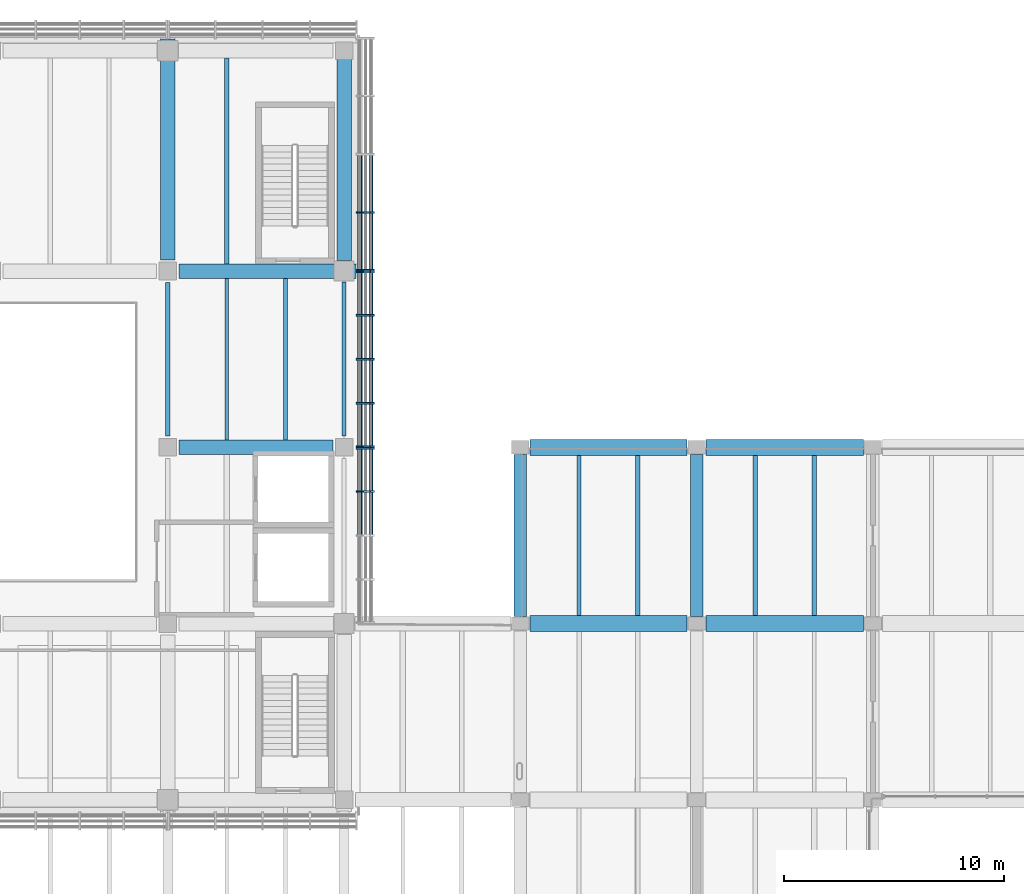
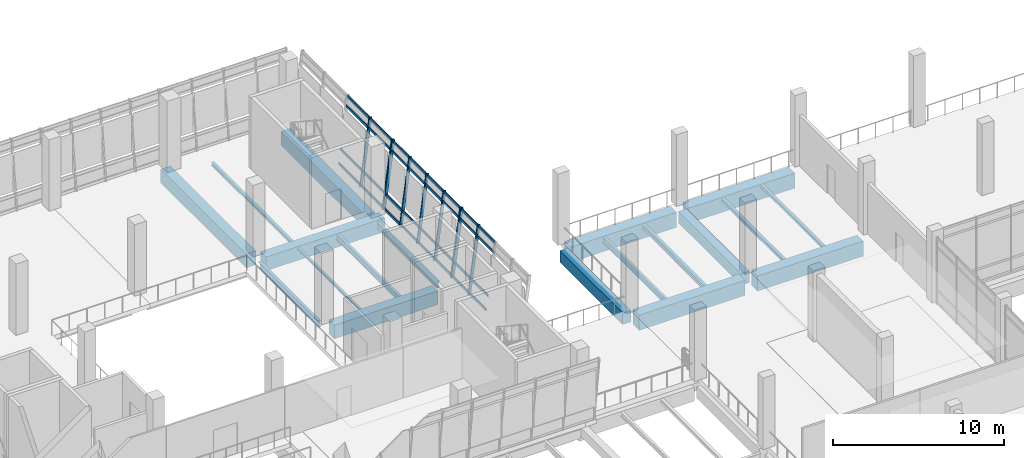
# One storey, part 19 of 61: 41 members, 19 beams, 3 elements without a shape of their own.
"""IFC4 building model written with IfcOpenShell, lengths in metres."""

import ifcopenshell
import ifcopenshell.guid

model = None  # the IFC model being written
_history = None  # IfcOwnerHistory: only IFC2X3 demands one
_inside = {}  # id of a spatial element -> (the spatial element, [elements in it])
_under = {}  # id of a project, library or spatial element -> (it, [spatial elements below it])
_declared = {}  # id of a project -> (the project, [libraries it declares])
_typed = {}  # id of a type object -> (the type object, [elements of that type])
_made_of = {}  # id of a material, layer set ... -> (it, [elements and type objects made of it])


def new_model(schema):
    """Start an empty IFC model of exactly this schema.

    Asked for "IFC4X3", IfcOpenShell would pick the latest addendum, in which some entities
    have other attributes; the version numbers below select the first issue.
    IFC2X3 requires an IfcOwnerHistory on every rooted entity: one is made here for all.
    """
    global model, _history
    if schema == "IFC4X3":
        model = ifcopenshell.file(schema_version=(4, 3, 0, 0))
    else:
        model = ifcopenshell.file(schema=schema)
    _inside.clear()
    _under.clear()
    _declared.clear()
    _typed.clear()
    _made_of.clear()
    _history = None
    if model.schema == "IFC2X3":
        org = make("IfcOrganization", Name="unknown")
        user = make(
            "IfcPersonAndOrganization",
            ThePerson=make("IfcPerson", FamilyName="unknown"),
            TheOrganization=org,
        )
        app = make(
            "IfcApplication",
            ApplicationDeveloper=org,
            Version="unknown",
            ApplicationFullName="unknown",
            ApplicationIdentifier="unknown",
        )
        _history = make(
            "IfcOwnerHistory",
            OwningUser=user,
            OwningApplication=app,
            ChangeAction="ADDED",
            CreationDate=0,
        )
    return model


def make(cls, **values):
    """One entity of the class cls with the attributes given. An attribute that is None is left unset."""
    return model.create_entity(
        cls, **{name: value for name, value in values.items() if value is not None}
    )


def rooted(cls, **values):
    """An entity with a GlobalId (a new one), such as an element, a storey or a relation."""
    return make(cls, GlobalId=ifcopenshell.guid.new(), OwnerHistory=_history, **values)


def si_unit(unit_type, name, prefix=None):
    """IfcSIUnit, for example si_unit("LENGTHUNIT", "METRE", prefix="MILLI")."""
    return make("IfcSIUnit", UnitType=unit_type, Prefix=prefix, Name=name)


def assignment(units):
    """IfcUnitAssignment: the units of a project."""
    return None if units is None else make("IfcUnitAssignment", Units=units)


def point(xyz):
    """IfcCartesianPoint."""
    return None if xyz is None else make("IfcCartesianPoint", Coordinates=xyz)


def direction(xyz):
    """IfcDirection."""
    return None if xyz is None else make("IfcDirection", DirectionRatios=xyz)


def frame(location, z_axis=None, x_axis=None):
    """IfcAxis2Placement3D, a coordinate frame: its origin and axes. An axis left out is left unset."""
    return make(
        "IfcAxis2Placement3D",
        Location=point(location),
        Axis=direction(z_axis),
        RefDirection=direction(x_axis),
    )


def frame_2d(location, x_axis=None):
    """IfcAxis2Placement2D, a coordinate frame in the plane: its origin and x axis."""
    return make(
        "IfcAxis2Placement2D", Location=point(location), RefDirection=direction(x_axis)
    )


def origin():
    """The frame at (0, 0, 0) with its axes left unset."""
    return frame((0.0, 0.0, 0.0))


def origin_2d():
    """The frame at (0, 0) in the plane with its x axis left unset."""
    return frame_2d((0.0, 0.0))


def place(relative_to, where):
    """IfcLocalPlacement: puts the frame where relative to a parent placement (None: the world)."""
    return make(
        "IfcLocalPlacement", PlacementRelTo=relative_to, RelativePlacement=where
    )


def context(
    kind, dimensions, precision=None, world=None, true_north=None, identifier=None
):
    """IfcGeometricRepresentationContext, for example the 3D "Model" context."""
    return make(
        "IfcGeometricRepresentationContext",
        ContextIdentifier=identifier,
        ContextType=kind,
        CoordinateSpaceDimension=dimensions,
        Precision=precision,
        WorldCoordinateSystem=world,
        TrueNorth=true_north,
    )


def subcontext(parent, identifier, kind, view, scale=None):
    """IfcGeometricRepresentationSubContext, for example "Body" below "Model"."""
    return make(
        "IfcGeometricRepresentationSubContext",
        ContextIdentifier=identifier,
        ContextType=kind,
        ParentContext=parent,
        TargetScale=scale,
        TargetView=view,
    )


def project(units=None, contexts=None):
    """IfcProject with its units and contexts."""
    return rooted(
        "IfcProject",
        Name="project",
        RepresentationContexts=contexts,
        UnitsInContext=assignment(units),
    )


def spatial(cls, under=None, at=None, **own):
    """A site, building, storey or space (cls), placed at a placement, below another one or the project."""
    s = rooted(cls, ObjectPlacement=at, **own)
    if under is not None:
        _under.setdefault(under.id(), (under, []))[1].append(s)
    return s


def profile(cls, at=None, kind="AREA", **sizes):
    """A parametric profile (cls). Its sizes go by their IFC names, for example OverallWidth=200.0."""
    return make(cls, ProfileType=kind, Position=at, **sizes)


def rectangle(**sizes):
    """IfcRectangleProfileDef."""
    return profile("IfcRectangleProfileDef", **sizes)


def i_section(**sizes):
    """IfcIShapeProfileDef."""
    return profile("IfcIShapeProfileDef", **sizes)


def extrude(swept, where, along, depth):
    """IfcExtrudedAreaSolid: the profile swept, set in the frame where, extruded along a direction by depth."""
    return make(
        "IfcExtrudedAreaSolid",
        SweptArea=swept,
        Position=where,
        ExtrudedDirection=direction(along),
        Depth=depth,
    )


def shape(context_of_items, identifier, shape_type, items):
    """IfcShapeRepresentation: the items that make up one representation, for example the "Body"."""
    return make(
        "IfcShapeRepresentation",
        ContextOfItems=context_of_items,
        RepresentationIdentifier=identifier,
        RepresentationType=shape_type,
        Items=items,
    )


def material(Name=None, Category=None):
    """IfcMaterial."""
    return make("IfcMaterial", Name=Name, Category=Category)


def material_profile(
    of_material, cross_section, Name=None, Category=None, Priority=None
):
    """IfcMaterialProfile: a cross section and its material."""
    return make(
        "IfcMaterialProfile",
        Name=Name,
        Material=of_material,
        Profile=cross_section,
        Priority=Priority,
        Category=Category,
    )


def profile_set(profiles, Name=None, composite=None):
    """IfcMaterialProfileSet."""
    return make(
        "IfcMaterialProfileSet",
        Name=Name,
        MaterialProfiles=profiles,
        CompositeProfile=composite,
    )


def made_of(thing, what):
    """Note that an element or type object is made of a material, layer set ...; save() writes the relation."""
    if what is not None:
        _made_of.setdefault(what.id(), (what, []))[1].append(thing)
    return thing


def type_object(cls, material=None, **own):
    """A type object (cls), such as IfcWallType, which elements share."""
    return made_of(rooted(cls, **own), material)


def element(
    cls,
    number,
    at=None,
    inside=None,
    cuts=None,
    type_object=None,
    material=None,
    context=None,
    identifier="Body",
    shape_type=None,
    held_by="IfcProductDefinitionShape",
    body=None,
    shapes=None,
    **own,
):
    """One element of the class cls, such as IfcWall. Its Tag is "e" and its number.

    at: its placement. inside: the storey or other place that contains it. cuts: it is an
    opening in that element (IfcRelVoidsElement). A single representation is given by context,
    identifier, shape_type and body (its items); several are given by shapes. held_by: the class
    of the entity that holds the representations. save() writes the other relations.
    """
    e = rooted(cls, Tag="e%d" % number, ObjectPlacement=at, **own)
    if body is not None:
        shapes = [shape(context, identifier, shape_type, body)]
    if shapes is not None:
        e.Representation = make(held_by, Representations=shapes)
    if inside is not None:
        _inside.setdefault(inside.id(), (inside, []))[1].append(e)
    if cuts is not None:
        rooted(
            "IfcRelVoidsElement", RelatingBuildingElement=cuts, RelatedOpeningElement=e
        )
    if type_object is not None:
        _typed.setdefault(type_object.id(), (type_object, []))[1].append(e)
    return made_of(e, material)


def aggregate(whole, parts):
    """IfcRelAggregates: a whole, such as a stair, and the parts it consists of."""
    return rooted("IfcRelAggregates", RelatingObject=whole, RelatedObjects=parts)


def save(model, path):
    """Write the relations noted so far, then the file.

    IfcRelAggregates (storeys below a building ...), IfcRelContainedInSpatialStructure (elements
    in a storey), IfcRelDefinesByType, IfcRelAssociatesMaterial and IfcRelDeclares: one each for
    every whole, place, type object, material and project.
    """
    for whole, parts in _under.values():
        aggregate(whole, parts)
    for where, things in _inside.values():
        rooted(
            "IfcRelContainedInSpatialStructure",
            RelatedElements=things,
            RelatingStructure=where,
        )
    for kind, things in _typed.values():
        rooted("IfcRelDefinesByType", RelatedObjects=things, RelatingType=kind)
    for what, things in _made_of.values():
        rooted("IfcRelAssociatesMaterial", RelatedObjects=things, RelatingMaterial=what)
    for by, libraries in _declared.values():
        rooted("IfcRelDeclares", RelatingContext=by, RelatedDefinitions=libraries)
    model.write(path)


model = new_model("IFC4")

# Units and contexts
model_context = context("Model", 3, precision=1e-05, world=origin(), true_north=direction((0.0, 1.0)))
body_context = subcontext(model_context, "Body", "Model", "MODEL_VIEW")
ifc_project = project(units=[si_unit("LENGTHUNIT", "METRE"), si_unit("AREAUNIT", "SQUARE_METRE"), si_unit("VOLUMEUNIT", "CUBIC_METRE"), si_unit("PLANEANGLEUNIT", "RADIAN"), si_unit("MASSUNIT", "GRAM", prefix="KILO")], contexts=[model_context])

# Site, building, storey
site_placement = place(None, origin())
site = spatial("IfcSite", under=ifc_project, at=site_placement, CompositionType="ELEMENT")
building_placement = place(site_placement, origin())
building = spatial("IfcBuilding", under=site, at=building_placement, Name="Pecanmere Concourse Central Library", CompositionType="ELEMENT")
storey_placement = place(building_placement, frame((0.0, 0.0, 5.39990234375)))
storey = spatial("IfcBuildingStorey", under=building, at=storey_placement, Name="L02", CompositionType="ELEMENT", Elevation=5.39990234375)

# Curtain wall, members
ifc_material_1 = material(Name="Anodized bronze aluminium alloy 6063-T6", Category="aluminium")
curtain_wall_type = type_object("IfcCurtainWallType", Name="CW_LEAN_BANDED", PredefinedType="USERDEFINED", material=ifc_material_1)
curtain_wall_1_placement = place(storey_placement, origin())
curtain_wall_1 = element("IfcCurtainWall", 1, at=curtain_wall_1_placement, inside=storey, type_object=curtain_wall_type, Name="Unitised Curtain Wall CW-01 L02-016", ObjectType="UNITISED CURTAIN WALL", PredefinedType="USERDEFINED")
ifc_material_2 = material(Name="Anodized bronze aluminium alloy 6063-T6", Category="aluminium")
ifc_material_profile_1 = material_profile(ifc_material_2, rectangle(XDim=0.074951171875, YDim=0.199951171875, at=origin_2d()), Name="AL 75x200")
ifc_profile_set_1 = profile_set([ifc_material_profile_1], Name="Anodized bronze aluminium alloy 6063-T6")
member_type_1 = type_object("IfcMemberType", Name="CWM_200x75", PredefinedType="MULLION", material=ifc_profile_set_1)
member_1_placement = place(storey_placement, frame((104.640380859375, 103.99755859375, 0.0), z_axis=(0.132283601957, 0.0, 0.991211909055), x_axis=(0.0, 1.0, 0.0)))
member_1 = element("IfcMember", 2, at=member_1_placement, type_object=member_type_1, Name="CW-01 Mullion 4", PredefinedType="MULLION", context=body_context, shape_type="SweptSolid", body=[
    extrude(rectangle(XDim=0.074951171875, YDim=0.199951171875, at=origin_2d()), origin(), (0.0, 0.0, 1.0), 4.80224609375),
])
member_2_placement = place(storey_placement, frame((104.640380859375, 105.95751953125, 0.0), z_axis=(0.132283601957, 0.0, 0.991211909055), x_axis=(0.0, 1.0, 0.0)))
member_2 = element("IfcMember", 3, at=member_2_placement, type_object=member_type_1, Name="CW-01 Mullion 5", PredefinedType="MULLION", context=body_context, shape_type="SweptSolid", body=[
    extrude(rectangle(XDim=0.074951171875, YDim=0.199951171875, at=origin_2d()), origin(), (0.0, 0.0, 1.0), 4.80224609375),
])

curtain_wall_2_placement = place(storey_placement, origin())
curtain_wall_2 = element("IfcCurtainWall", 4, at=curtain_wall_2_placement, inside=storey, type_object=curtain_wall_type, Name="Unitised Curtain Wall CW-01 L02-017", ObjectType="UNITISED CURTAIN WALL", PredefinedType="USERDEFINED")
member_3_placement = place(storey_placement, frame((104.640380859375, 106.04248046875, 0.0), z_axis=(0.132283601957, 0.0, 0.991211909055), x_axis=(0.0, 1.0, 0.0)))
member_3 = element("IfcMember", 5, at=member_3_placement, type_object=member_type_1, Name="CW-01 Mullion 1", PredefinedType="MULLION", context=body_context, shape_type="SweptSolid", body=[
    extrude(rectangle(XDim=0.074951171875, YDim=0.199951171875, at=origin_2d()), origin(), (0.0, 0.0, 1.0), 4.80224609375),
])
member_4_placement = place(storey_placement, frame((104.640380859375, 108.00244140625, 0.0), z_axis=(0.132283601957, 0.0, 0.991211909055), x_axis=(0.0, 1.0, 0.0)))
member_4 = element("IfcMember", 6, at=member_4_placement, type_object=member_type_1, Name="CW-01 Mullion 2", PredefinedType="MULLION", context=body_context, shape_type="SweptSolid", body=[
    extrude(rectangle(XDim=0.074951171875, YDim=0.199951171875, at=origin_2d()), origin(), (0.0, 0.0, 1.0), 4.80224609375),
])
member_5_placement = place(storey_placement, frame((104.640380859375, 110.0, 0.0), z_axis=(0.132283601957, 0.0, 0.991211909055), x_axis=(0.0, 1.0, 0.0)))
member_5 = element("IfcMember", 7, at=member_5_placement, type_object=member_type_1, Name="CW-01 Mullion 3", PredefinedType="MULLION", context=body_context, shape_type="SweptSolid", body=[
    extrude(rectangle(XDim=0.074951171875, YDim=0.199951171875, at=origin_2d()), origin(), (0.0, 0.0, 1.0), 4.80224609375),
])
member_6_placement = place(storey_placement, frame((104.640380859375, 111.99755859375, 0.0), z_axis=(0.132283601957, 0.0, 0.991211909055), x_axis=(0.0, 1.0, 0.0)))
member_6 = element("IfcMember", 8, at=member_6_placement, type_object=member_type_1, Name="CW-01 Mullion 4", PredefinedType="MULLION", context=body_context, shape_type="SweptSolid", body=[
    extrude(rectangle(XDim=0.074951171875, YDim=0.199951171875, at=origin_2d()), origin(), (0.0, 0.0, 1.0), 4.80224609375),
])
member_7_placement = place(storey_placement, frame((104.640380859375, 113.95751953125, 0.0), z_axis=(0.132283601957, 0.0, 0.991211909055), x_axis=(0.0, 1.0, 0.0)))
member_7 = element("IfcMember", 9, at=member_7_placement, type_object=member_type_1, Name="CW-01 Mullion 5", PredefinedType="MULLION", context=body_context, shape_type="SweptSolid", body=[
    extrude(rectangle(XDim=0.074951171875, YDim=0.199951171875, at=origin_2d()), origin(), (0.0, 0.0, 1.0), 4.80224609375),
])

curtain_wall_3_placement = place(storey_placement, origin())
curtain_wall_3 = element("IfcCurtainWall", 10, at=curtain_wall_3_placement, inside=storey, type_object=curtain_wall_type, Name="Unitised Curtain Wall CW-01 L02-018", ObjectType="UNITISED CURTAIN WALL", PredefinedType="USERDEFINED")
member_8_placement = place(storey_placement, frame((104.640380859375, 114.04248046875, 0.0), z_axis=(0.132283601957, 0.0, 0.991211909055), x_axis=(0.0, 1.0, 0.0)))
member_8 = element("IfcMember", 11, at=member_8_placement, type_object=member_type_1, Name="CW-01 Mullion 1", PredefinedType="MULLION", context=body_context, shape_type="SweptSolid", body=[
    extrude(rectangle(XDim=0.074951171875, YDim=0.199951171875, at=origin_2d()), origin(), (0.0, 0.0, 1.0), 4.80224609375),
])
member_9_placement = place(storey_placement, frame((104.640380859375, 116.65380859375, 0.0), z_axis=(0.132283601957, 0.0, 0.991211909055), x_axis=(0.0, 1.0, 0.0)))
member_9 = element("IfcMember", 12, at=member_9_placement, type_object=member_type_1, Name="CW-01 Mullion 2", PredefinedType="MULLION", context=body_context, shape_type="SweptSolid", body=[
    extrude(rectangle(XDim=0.074951171875, YDim=0.199951171875, at=origin_2d()), origin(), (0.0, 0.0, 1.0), 4.80224609375),
])

# Member
ifc_material_3 = material(Name="Anodized bronze aluminium alloy 6063-T6", Category="aluminium")
ifc_material_profile_2 = material_profile(ifc_material_3, rectangle(XDim=0.06494140625, YDim=0.179931640625, at=origin_2d()), Name="AL 65x180")
ifc_profile_set_2 = profile_set([ifc_material_profile_2], Name="Anodized bronze aluminium alloy 6063-T6")
member_type_2 = type_object("IfcMemberType", Name="CWT_180x65", PredefinedType="USERDEFINED", material=ifc_profile_set_2)
member_10_placement = place(storey_placement, frame((104.652587890625, 102.03759765625, 0.090087890625), z_axis=(0.0, 1.0, 0.0), x_axis=(-1.0, 0.0, 0.0)))
member_10 = element("IfcMember", 13, at=member_10_placement, type_object=member_type_2, Name="CW-01 Transom 3.1", ObjectType="TRANSOM", PredefinedType="USERDEFINED", context=body_context, shape_type="SweptSolid", body=[
    extrude(rectangle(XDim=0.06494140625, YDim=0.179931640625, at=origin_2d()), origin(), (0.0, 0.0, 1.0), 1.92236328125),
])

member_11_placement = place(storey_placement, frame((104.780517578125, 102.03759765625, 1.050048828125), z_axis=(0.0, 1.0, 0.0), x_axis=(-1.0, 0.0, 0.0)))
member_11 = element("IfcMember", 14, at=member_11_placement, type_object=member_type_2, Name="CW-01 Transom 3.2", ObjectType="TRANSOM", PredefinedType="USERDEFINED", context=body_context, shape_type="SweptSolid", body=[
    extrude(rectangle(XDim=0.06494140625, YDim=0.179931640625, at=origin_2d()), origin(), (0.0, 0.0, 1.0), 1.92236328125),
])

member_12_placement = place(storey_placement, frame((105.175537109375, 102.03759765625, 4.010009765625), z_axis=(0.0, 1.0, 0.0), x_axis=(-1.0, 0.0, 0.0)))
member_12 = element("IfcMember", 15, at=member_12_placement, type_object=member_type_2, Name="CW-01 Transom 3.3", ObjectType="TRANSOM", PredefinedType="USERDEFINED", context=body_context, shape_type="SweptSolid", body=[
    extrude(rectangle(XDim=0.06494140625, YDim=0.179931640625, at=origin_2d()), origin(), (0.0, 0.0, 1.0), 1.92236328125),
])

member_13_placement = place(storey_placement, frame((105.263671875, 102.03759765625, 4.670166015625), z_axis=(0.0, 1.0, 0.0), x_axis=(-1.0, 0.0, 0.0)))
member_13 = element("IfcMember", 16, at=member_13_placement, type_object=member_type_2, Name="CW-01 Transom 3.4", ObjectType="TRANSOM", PredefinedType="USERDEFINED", context=body_context, shape_type="SweptSolid", body=[
    extrude(rectangle(XDim=0.06494140625, YDim=0.179931640625, at=origin_2d()), origin(), (0.0, 0.0, 1.0), 1.92236328125),
])

member_14_placement = place(storey_placement, frame((104.652587890625, 104.034912109375, 0.090087890625), z_axis=(0.0, 1.0, 0.0), x_axis=(-1.0, 0.0, 0.0)))
member_14 = element("IfcMember", 17, at=member_14_placement, type_object=member_type_2, Name="CW-01 Transom 4.1", ObjectType="TRANSOM", PredefinedType="USERDEFINED", context=body_context, shape_type="SweptSolid", body=[
    extrude(rectangle(XDim=0.06494140625, YDim=0.179931640625, at=origin_2d()), origin(), (0.0, 0.0, 1.0), 1.885009765625),
])

member_15_placement = place(storey_placement, frame((104.780517578125, 104.034912109375, 1.050048828125), z_axis=(0.0, 1.0, 0.0), x_axis=(-1.0, 0.0, 0.0)))
member_15 = element("IfcMember", 18, at=member_15_placement, type_object=member_type_2, Name="CW-01 Transom 4.2", ObjectType="TRANSOM", PredefinedType="USERDEFINED", context=body_context, shape_type="SweptSolid", body=[
    extrude(rectangle(XDim=0.06494140625, YDim=0.179931640625, at=origin_2d()), origin(), (0.0, 0.0, 1.0), 1.885009765625),
])

member_16_placement = place(storey_placement, frame((105.175537109375, 104.034912109375, 4.010009765625), z_axis=(0.0, 1.0, 0.0), x_axis=(-1.0, 0.0, 0.0)))
member_16 = element("IfcMember", 19, at=member_16_placement, type_object=member_type_2, Name="CW-01 Transom 4.3", ObjectType="TRANSOM", PredefinedType="USERDEFINED", context=body_context, shape_type="SweptSolid", body=[
    extrude(rectangle(XDim=0.06494140625, YDim=0.179931640625, at=origin_2d()), origin(), (0.0, 0.0, 1.0), 1.885009765625),
])

member_17_placement = place(storey_placement, frame((105.263671875, 104.034912109375, 4.670166015625), z_axis=(0.0, 1.0, 0.0), x_axis=(-1.0, 0.0, 0.0)))
member_17 = element("IfcMember", 20, at=member_17_placement, type_object=member_type_2, Name="CW-01 Transom 4.4", ObjectType="TRANSOM", PredefinedType="USERDEFINED", context=body_context, shape_type="SweptSolid", body=[
    extrude(rectangle(XDim=0.06494140625, YDim=0.179931640625, at=origin_2d()), origin(), (0.0, 0.0, 1.0), 1.885009765625),
])

aggregate(curtain_wall_1, [member_1, member_2, member_10, member_11, member_12, member_13, member_14, member_15, member_16, member_17])

member_18_placement = place(storey_placement, frame((104.652587890625, 106.080078125, 0.090087890625), z_axis=(0.0, 1.0, 0.0), x_axis=(-1.0, 0.0, 0.0)))
member_18 = element("IfcMember", 21, at=member_18_placement, type_object=member_type_2, Name="CW-01 Transom 1.1", ObjectType="TRANSOM", PredefinedType="USERDEFINED", context=body_context, shape_type="SweptSolid", body=[
    extrude(rectangle(XDim=0.06494140625, YDim=0.179931640625, at=origin_2d()), origin(), (0.0, 0.0, 1.0), 1.885009765625),
])

member_19_placement = place(storey_placement, frame((104.780517578125, 106.080078125, 1.050048828125), z_axis=(0.0, 1.0, 0.0), x_axis=(-1.0, 0.0, 0.0)))
member_19 = element("IfcMember", 22, at=member_19_placement, type_object=member_type_2, Name="CW-01 Transom 1.2", ObjectType="TRANSOM", PredefinedType="USERDEFINED", context=body_context, shape_type="SweptSolid", body=[
    extrude(rectangle(XDim=0.06494140625, YDim=0.179931640625, at=origin_2d()), origin(), (0.0, 0.0, 1.0), 1.885009765625),
])

member_20_placement = place(storey_placement, frame((105.175537109375, 106.080078125, 4.010009765625), z_axis=(0.0, 1.0, 0.0), x_axis=(-1.0, 0.0, 0.0)))
member_20 = element("IfcMember", 23, at=member_20_placement, type_object=member_type_2, Name="CW-01 Transom 1.3", ObjectType="TRANSOM", PredefinedType="USERDEFINED", context=body_context, shape_type="SweptSolid", body=[
    extrude(rectangle(XDim=0.06494140625, YDim=0.179931640625, at=origin_2d()), origin(), (0.0, 0.0, 1.0), 1.885009765625),
])

member_21_placement = place(storey_placement, frame((105.263671875, 106.080078125, 4.670166015625), z_axis=(0.0, 1.0, 0.0), x_axis=(-1.0, 0.0, 0.0)))
member_21 = element("IfcMember", 24, at=member_21_placement, type_object=member_type_2, Name="CW-01 Transom 1.4", ObjectType="TRANSOM", PredefinedType="USERDEFINED", context=body_context, shape_type="SweptSolid", body=[
    extrude(rectangle(XDim=0.06494140625, YDim=0.179931640625, at=origin_2d()), origin(), (0.0, 0.0, 1.0), 1.885009765625),
])

member_22_placement = place(storey_placement, frame((104.652587890625, 108.0400390625, 0.090087890625), z_axis=(0.0, 1.0, 0.0), x_axis=(-1.0, 0.0, 0.0)))
member_22 = element("IfcMember", 25, at=member_22_placement, type_object=member_type_2, Name="CW-01 Transom 2.1", ObjectType="TRANSOM", PredefinedType="USERDEFINED", context=body_context, shape_type="SweptSolid", body=[
    extrude(rectangle(XDim=0.06494140625, YDim=0.179931640625, at=origin_2d()), origin(), (0.0, 0.0, 1.0), 1.92236328125),
])

member_23_placement = place(storey_placement, frame((104.780517578125, 108.0400390625, 1.050048828125), z_axis=(0.0, 1.0, 0.0), x_axis=(-1.0, 0.0, 0.0)))
member_23 = element("IfcMember", 26, at=member_23_placement, type_object=member_type_2, Name="CW-01 Transom 2.2", ObjectType="TRANSOM", PredefinedType="USERDEFINED", context=body_context, shape_type="SweptSolid", body=[
    extrude(rectangle(XDim=0.06494140625, YDim=0.179931640625, at=origin_2d()), origin(), (0.0, 0.0, 1.0), 1.92236328125),
])

member_24_placement = place(storey_placement, frame((105.175537109375, 108.0400390625, 4.010009765625), z_axis=(0.0, 1.0, 0.0), x_axis=(-1.0, 0.0, 0.0)))
member_24 = element("IfcMember", 27, at=member_24_placement, type_object=member_type_2, Name="CW-01 Transom 2.3", ObjectType="TRANSOM", PredefinedType="USERDEFINED", context=body_context, shape_type="SweptSolid", body=[
    extrude(rectangle(XDim=0.06494140625, YDim=0.179931640625, at=origin_2d()), origin(), (0.0, 0.0, 1.0), 1.92236328125),
])

member_25_placement = place(storey_placement, frame((105.263671875, 108.0400390625, 4.670166015625), z_axis=(0.0, 1.0, 0.0), x_axis=(-1.0, 0.0, 0.0)))
member_25 = element("IfcMember", 28, at=member_25_placement, type_object=member_type_2, Name="CW-01 Transom 2.4", ObjectType="TRANSOM", PredefinedType="USERDEFINED", context=body_context, shape_type="SweptSolid", body=[
    extrude(rectangle(XDim=0.06494140625, YDim=0.179931640625, at=origin_2d()), origin(), (0.0, 0.0, 1.0), 1.92236328125),
])

member_26_placement = place(storey_placement, frame((104.652587890625, 110.03759765625, 0.090087890625), z_axis=(0.0, 1.0, 0.0), x_axis=(-1.0, 0.0, 0.0)))
member_26 = element("IfcMember", 29, at=member_26_placement, type_object=member_type_2, Name="CW-01 Transom 3.1", ObjectType="TRANSOM", PredefinedType="USERDEFINED", context=body_context, shape_type="SweptSolid", body=[
    extrude(rectangle(XDim=0.06494140625, YDim=0.179931640625, at=origin_2d()), origin(), (0.0, 0.0, 1.0), 1.92236328125),
])

member_27_placement = place(storey_placement, frame((104.780517578125, 110.03759765625, 1.050048828125), z_axis=(0.0, 1.0, 0.0), x_axis=(-1.0, 0.0, 0.0)))
member_27 = element("IfcMember", 30, at=member_27_placement, type_object=member_type_2, Name="CW-01 Transom 3.2", ObjectType="TRANSOM", PredefinedType="USERDEFINED", context=body_context, shape_type="SweptSolid", body=[
    extrude(rectangle(XDim=0.06494140625, YDim=0.179931640625, at=origin_2d()), origin(), (0.0, 0.0, 1.0), 1.92236328125),
])

member_28_placement = place(storey_placement, frame((105.175537109375, 110.03759765625, 4.010009765625), z_axis=(0.0, 1.0, 0.0), x_axis=(-1.0, 0.0, 0.0)))
member_28 = element("IfcMember", 31, at=member_28_placement, type_object=member_type_2, Name="CW-01 Transom 3.3", ObjectType="TRANSOM", PredefinedType="USERDEFINED", context=body_context, shape_type="SweptSolid", body=[
    extrude(rectangle(XDim=0.06494140625, YDim=0.179931640625, at=origin_2d()), origin(), (0.0, 0.0, 1.0), 1.92236328125),
])

member_29_placement = place(storey_placement, frame((105.263671875, 110.03759765625, 4.670166015625), z_axis=(0.0, 1.0, 0.0), x_axis=(-1.0, 0.0, 0.0)))
member_29 = element("IfcMember", 32, at=member_29_placement, type_object=member_type_2, Name="CW-01 Transom 3.4", ObjectType="TRANSOM", PredefinedType="USERDEFINED", context=body_context, shape_type="SweptSolid", body=[
    extrude(rectangle(XDim=0.06494140625, YDim=0.179931640625, at=origin_2d()), origin(), (0.0, 0.0, 1.0), 1.92236328125),
])

member_30_placement = place(storey_placement, frame((104.652587890625, 112.034912109375, 0.090087890625), z_axis=(0.0, 1.0, 0.0), x_axis=(-1.0, 0.0, 0.0)))
member_30 = element("IfcMember", 33, at=member_30_placement, type_object=member_type_2, Name="CW-01 Transom 4.1", ObjectType="TRANSOM", PredefinedType="USERDEFINED", context=body_context, shape_type="SweptSolid", body=[
    extrude(rectangle(XDim=0.06494140625, YDim=0.179931640625, at=origin_2d()), origin(), (0.0, 0.0, 1.0), 1.885009765625),
])

member_31_placement = place(storey_placement, frame((104.780517578125, 112.034912109375, 1.050048828125), z_axis=(0.0, 1.0, 0.0), x_axis=(-1.0, 0.0, 0.0)))
member_31 = element("IfcMember", 34, at=member_31_placement, type_object=member_type_2, Name="CW-01 Transom 4.2", ObjectType="TRANSOM", PredefinedType="USERDEFINED", context=body_context, shape_type="SweptSolid", body=[
    extrude(rectangle(XDim=0.06494140625, YDim=0.179931640625, at=origin_2d()), origin(), (0.0, 0.0, 1.0), 1.885009765625),
])

member_32_placement = place(storey_placement, frame((105.175537109375, 112.034912109375, 4.010009765625), z_axis=(0.0, 1.0, 0.0), x_axis=(-1.0, 0.0, 0.0)))
member_32 = element("IfcMember", 35, at=member_32_placement, type_object=member_type_2, Name="CW-01 Transom 4.3", ObjectType="TRANSOM", PredefinedType="USERDEFINED", context=body_context, shape_type="SweptSolid", body=[
    extrude(rectangle(XDim=0.06494140625, YDim=0.179931640625, at=origin_2d()), origin(), (0.0, 0.0, 1.0), 1.885009765625),
])

member_33_placement = place(storey_placement, frame((105.263671875, 112.034912109375, 4.670166015625), z_axis=(0.0, 1.0, 0.0), x_axis=(-1.0, 0.0, 0.0)))
member_33 = element("IfcMember", 36, at=member_33_placement, type_object=member_type_2, Name="CW-01 Transom 4.4", ObjectType="TRANSOM", PredefinedType="USERDEFINED", context=body_context, shape_type="SweptSolid", body=[
    extrude(rectangle(XDim=0.06494140625, YDim=0.179931640625, at=origin_2d()), origin(), (0.0, 0.0, 1.0), 1.885009765625),
])

aggregate(curtain_wall_2, [member_3, member_4, member_5, member_6, member_7, member_18, member_19, member_20, member_21, member_22, member_23, member_24, member_25, member_26, member_27, member_28, member_29, member_30, member_31, member_32, member_33])

member_34_placement = place(storey_placement, frame((104.652587890625, 114.080078125, 0.090087890625), z_axis=(0.0, 1.0, 0.0), x_axis=(-1.0, 0.0, 0.0)))
member_34 = element("IfcMember", 37, at=member_34_placement, type_object=member_type_2, Name="CW-01 Transom 1.1", ObjectType="TRANSOM", PredefinedType="USERDEFINED", context=body_context, shape_type="SweptSolid", body=[
    extrude(rectangle(XDim=0.06494140625, YDim=0.179931640625, at=origin_2d()), origin(), (0.0, 0.0, 1.0), 2.536376953125),
])

member_35_placement = place(storey_placement, frame((104.780517578125, 114.080078125, 1.050048828125), z_axis=(0.0, 1.0, 0.0), x_axis=(-1.0, 0.0, 0.0)))
member_35 = element("IfcMember", 38, at=member_35_placement, type_object=member_type_2, Name="CW-01 Transom 1.2", ObjectType="TRANSOM", PredefinedType="USERDEFINED", context=body_context, shape_type="SweptSolid", body=[
    extrude(rectangle(XDim=0.06494140625, YDim=0.179931640625, at=origin_2d()), origin(), (0.0, 0.0, 1.0), 2.536376953125),
])

member_36_placement = place(storey_placement, frame((105.175537109375, 114.080078125, 4.010009765625), z_axis=(0.0, 1.0, 0.0), x_axis=(-1.0, 0.0, 0.0)))
member_36 = element("IfcMember", 39, at=member_36_placement, type_object=member_type_2, Name="CW-01 Transom 1.3", ObjectType="TRANSOM", PredefinedType="USERDEFINED", context=body_context, shape_type="SweptSolid", body=[
    extrude(rectangle(XDim=0.06494140625, YDim=0.179931640625, at=origin_2d()), origin(), (0.0, 0.0, 1.0), 2.536376953125),
])

member_37_placement = place(storey_placement, frame((105.263671875, 114.080078125, 4.670166015625), z_axis=(0.0, 1.0, 0.0), x_axis=(-1.0, 0.0, 0.0)))
member_37 = element("IfcMember", 40, at=member_37_placement, type_object=member_type_2, Name="CW-01 Transom 1.4", ObjectType="TRANSOM", PredefinedType="USERDEFINED", context=body_context, shape_type="SweptSolid", body=[
    extrude(rectangle(XDim=0.06494140625, YDim=0.179931640625, at=origin_2d()), origin(), (0.0, 0.0, 1.0), 2.536376953125),
])

member_38_placement = place(storey_placement, frame((104.652587890625, 116.69140625, 0.090087890625), z_axis=(0.0, 1.0, 0.0), x_axis=(-1.0, 0.0, 0.0)))
member_38 = element("IfcMember", 41, at=member_38_placement, type_object=member_type_2, Name="CW-01 Transom 2.1", ObjectType="TRANSOM", PredefinedType="USERDEFINED", context=body_context, shape_type="SweptSolid", body=[
    extrude(rectangle(XDim=0.06494140625, YDim=0.179931640625, at=origin_2d()), origin(), (0.0, 0.0, 1.0), 2.57373046875),
])

member_39_placement = place(storey_placement, frame((104.780517578125, 116.69140625, 1.050048828125), z_axis=(0.0, 1.0, 0.0), x_axis=(-1.0, 0.0, 0.0)))
member_39 = element("IfcMember", 42, at=member_39_placement, type_object=member_type_2, Name="CW-01 Transom 2.2", ObjectType="TRANSOM", PredefinedType="USERDEFINED", context=body_context, shape_type="SweptSolid", body=[
    extrude(rectangle(XDim=0.06494140625, YDim=0.179931640625, at=origin_2d()), origin(), (0.0, 0.0, 1.0), 2.57373046875),
])

member_40_placement = place(storey_placement, frame((105.175537109375, 116.69140625, 4.010009765625), z_axis=(0.0, 1.0, 0.0), x_axis=(-1.0, 0.0, 0.0)))
member_40 = element("IfcMember", 43, at=member_40_placement, type_object=member_type_2, Name="CW-01 Transom 2.3", ObjectType="TRANSOM", PredefinedType="USERDEFINED", context=body_context, shape_type="SweptSolid", body=[
    extrude(rectangle(XDim=0.06494140625, YDim=0.179931640625, at=origin_2d()), origin(), (0.0, 0.0, 1.0), 2.57373046875),
])

member_41_placement = place(storey_placement, frame((105.263671875, 116.69140625, 4.670166015625), z_axis=(0.0, 1.0, 0.0), x_axis=(-1.0, 0.0, 0.0)))
member_41 = element("IfcMember", 44, at=member_41_placement, type_object=member_type_2, Name="CW-01 Transom 2.4", ObjectType="TRANSOM", PredefinedType="USERDEFINED", context=body_context, shape_type="SweptSolid", body=[
    extrude(rectangle(XDim=0.06494140625, YDim=0.179931640625, at=origin_2d()), origin(), (0.0, 0.0, 1.0), 2.57373046875),
])

aggregate(curtain_wall_3, [member_8, member_9, member_34, member_35, member_36, member_37, member_38, member_39, member_40, member_41])

# Beams
ifc_material_4 = material(Name="Concrete C40/50", Category="concrete")
ifc_material_profile_3 = material_profile(ifc_material_4, rectangle(XDim=0.56005859375, YDim=0.830078125, at=origin_2d()), Name="RC 560x830")
ifc_profile_set_3 = profile_set([ifc_material_profile_3], Name="Concrete C40/50")
beam_type_1 = type_object("IfcBeamType", Name="GRD_560x830", PredefinedType="USERDEFINED", material=ifc_profile_set_3)
for number, where, z_axis, x_axis, name in (
    (45, (112.0, 98.330078125, -0.784912109375), (0.0, 1.0, 0.0), (-1.0, 0.0, 0.0), "Primary Girder Y L02-1095"),
    (46, (120.0, 98.330078125, -0.784912109375), (0.0, 1.0, 0.0), (-1.0, 0.0, 0.0), "Primary Girder Y L02-1105"),
):
    element("IfcBeam", number, at=place(storey_placement, frame(where, z_axis=z_axis, x_axis=x_axis)), inside=storey, type_object=beam_type_1, Name=name, ObjectType="GIRDER", PredefinedType="USERDEFINED", context=body_context, shape_type="SweptSolid", body=[
        extrude(rectangle(XDim=0.56005859375, YDim=0.830078125, at=origin_2d()), origin(), (0.0, 0.0, 1.0), 7.33984375),
    ])
ifc_material_5 = material(Name="Concrete C40/50", Category="concrete")
ifc_material_profile_4 = material_profile(ifc_material_5, rectangle(XDim=0.659912109375, YDim=0.97998046875, at=origin_2d()), Name="RC 660x980")
ifc_profile_set_4 = profile_set([ifc_material_profile_4], Name="Concrete C40/50")
beam_type_2 = type_object("IfcBeamType", Name="GRD_660x980", PredefinedType="USERDEFINED", material=ifc_profile_set_4)
beam_1_placement = place(storey_placement, frame((96.510009765625, 106.0, -0.85986328125), z_axis=(1.0, 0.0, 0.0), x_axis=(0.0, 1.0, 0.0)))
element("IfcBeam", 47, at=beam_1_placement, inside=storey, type_object=beam_type_2, Name="Primary Girder X L02-0947", ObjectType="GIRDER", PredefinedType="USERDEFINED", context=body_context, shape_type="SweptSolid", body=[
    extrude(rectangle(XDim=0.659912109375, YDim=0.97998046875, at=origin_2d()), origin(), (0.0, 0.0, 1.0), 6.97998046875),
])
beam_2_placement = place(storey_placement, frame((96.510009765625, 114.0, -0.85986328125), z_axis=(1.0, 0.0, 0.0), x_axis=(0.0, 1.0, 0.0)))
element("IfcBeam", 48, at=beam_2_placement, inside=storey, type_object=beam_type_2, Name="Primary Girder X L02-0956", ObjectType="GIRDER", PredefinedType="USERDEFINED", context=body_context, shape_type="SweptSolid", body=[
    extrude(rectangle(XDim=0.659912109375, YDim=0.97998046875, at=origin_2d()), origin(), (0.0, 0.0, 1.0), 8.0205078125),
])
beam_3_placement = place(storey_placement, frame((96.0, 114.510009765625, -0.85986328125), z_axis=(0.0, 1.0, 0.0), x_axis=(-1.0, 0.0, 0.0)))
element("IfcBeam", 49, at=beam_3_placement, inside=storey, type_object=beam_type_2, Name="Primary Girder Y L02-1073", ObjectType="GIRDER", PredefinedType="USERDEFINED", context=body_context, shape_type="SweptSolid", body=[
    extrude(rectangle(XDim=0.659912109375, YDim=0.97998046875, at=origin_2d()), origin(), (0.0, 0.0, 1.0), 10.0205078125),
])
beam_4_placement = place(storey_placement, frame((104.0, 114.489990234375, -0.85986328125), z_axis=(0.0, 1.0, 0.0), x_axis=(-1.0, 0.0, 0.0)))
element("IfcBeam", 50, at=beam_4_placement, inside=storey, type_object=beam_type_2, Name="Primary Girder Y L02-1085", ObjectType="GIRDER", PredefinedType="USERDEFINED", context=body_context, shape_type="SweptSolid", body=[
    extrude(rectangle(XDim=0.659912109375, YDim=0.97998046875, at=origin_2d()), origin(), (0.0, 0.0, 1.0), 9.8505859375),
])
ifc_material_6 = material(Name="Concrete C40/50", Category="concrete")
ifc_material_profile_5 = material_profile(ifc_material_6, rectangle(XDim=0.719970703125, YDim=1.080078125, at=origin_2d()), Name="RC 720x1080")
ifc_profile_set_5 = profile_set([ifc_material_profile_5], Name="Concrete C40/50")
beam_type_3 = type_object("IfcBeamType", Name="GRD_720x1080", PredefinedType="USERDEFINED", material=ifc_profile_set_5)
for number, where, z_axis, x_axis, name in (
    (51, (112.429931640625, 98.0, -0.909912109375), (1.0, 0.0, 0.0), (0.0, 1.0, 0.0), "Primary Girder X L02-0936"),
    (52, (120.429931640625, 98.0, -0.909912109375), (1.0, 0.0, 0.0), (0.0, 1.0, 0.0), "Primary Girder X L02-0937"),
    (53, (112.429931640625, 106.0, -0.909912109375), (1.0, 0.0, 0.0), (0.0, 1.0, 0.0), "Primary Girder X L02-0948"),
    (54, (120.429931640625, 106.0, -0.909912109375), (1.0, 0.0, 0.0), (0.0, 1.0, 0.0), "Primary Girder X L02-0949"),
):
    element("IfcBeam", number, at=place(storey_placement, frame(where, z_axis=z_axis, x_axis=x_axis)), inside=storey, type_object=beam_type_3, Name=name, ObjectType="GIRDER", PredefinedType="USERDEFINED", context=body_context, shape_type="SweptSolid", body=[
        extrude(rectangle(XDim=0.719970703125, YDim=1.080078125, at=origin_2d()), origin(), (0.0, 0.0, 1.0), 7.14013671875),
    ])
ifc_material_7 = material(Name="Structural steel ASTM A992 Grade 50", Category="steel")
ifc_material_profile_6 = material_profile(ifc_material_7, i_section(OverallWidth=0.152099609375, OverallDepth=0.152099609375, WebThickness=0.005859375, FlangeThickness=0.006591796875, at=origin_2d()), Name="W150x22.5")
ifc_profile_set_6 = profile_set([ifc_material_profile_6], Name="Structural steel ASTM A992 Grade 50")
beam_type_4 = type_object("IfcBeamType", Name="SBM_W150x22", PredefinedType="LINTEL", material=ifc_profile_set_6)
beam_5_placement = place(storey_placement, frame((98.666748046875, 106.330078125, -0.44580078125), z_axis=(0.0, 1.0, 0.0), x_axis=(-1.0, 0.0, 0.0)))
element("IfcBeam", 55, at=beam_5_placement, inside=storey, type_object=beam_type_4, Name="Secondary Floor Joist L02-1343", PredefinedType="LINTEL", context=body_context, shape_type="SweptSolid", body=[
    extrude(i_section(OverallWidth=0.152099609375, OverallDepth=0.152099609375, WebThickness=0.005859375, FlangeThickness=0.006591796875, at=origin_2d()), origin(), (0.0, 0.0, 1.0), 7.33984375),
])
ifc_material_8 = material(Name="Structural steel ASTM A992 Grade 50", Category="steel")
ifc_material_profile_7 = material_profile(ifc_material_8, i_section(OverallWidth=0.2041015625, OverallDepth=0.2060546875, WebThickness=0.0078125, FlangeThickness=0.0126953125, at=origin_2d()), Name="W200x52")
ifc_profile_set_7 = profile_set([ifc_material_profile_7], Name="Structural steel ASTM A992 Grade 50")
beam_type_5 = type_object("IfcBeamType", Name="SBM_W200x52", PredefinedType="JOIST", material=ifc_profile_set_7)
beam_6_placement = place(storey_placement, frame((98.666748046875, 114.330078125, -0.472900390625), z_axis=(0.0, 1.0, 0.0), x_axis=(-1.0, 0.0, 0.0)))
element("IfcBeam", 56, at=beam_6_placement, inside=storey, type_object=beam_type_5, Name="Secondary Floor Joist L02-1345", PredefinedType="JOIST", context=body_context, shape_type="SweptSolid", body=[
    extrude(i_section(OverallWidth=0.2041015625, OverallDepth=0.2060546875, WebThickness=0.0078125, FlangeThickness=0.0126953125, at=origin_2d()), origin(), (0.0, 0.0, 1.0), 9.33984375),
])
beam_7_placement = place(storey_placement, frame((125.333251953125, 98.360107421875, -0.472900390625), z_axis=(0.0, 1.0, 0.0), x_axis=(-1.0, 0.0, 0.0)))
element("IfcBeam", 57, at=beam_7_placement, inside=storey, type_object=beam_type_5, Name="Secondary Floor Joist L02-1394", PredefinedType="JOIST", context=body_context, shape_type="SweptSolid", body=[
    extrude(i_section(OverallWidth=0.2041015625, OverallDepth=0.2060546875, WebThickness=0.0078125, FlangeThickness=0.0126953125, at=origin_2d()), origin(), (0.0, 0.0, 1.0), 7.27978515625),
])
ifc_material_9 = material(Name="Structural steel ASTM A992 Grade 50", Category="steel")
ifc_material_profile_8 = material_profile(ifc_material_9, i_section(OverallWidth=0.201904296875, OverallDepth=0.2470703125, WebThickness=0.00732421875, FlangeThickness=0.010986328125, at=origin_2d()), Name="W250x49.1")
ifc_profile_set_8 = profile_set([ifc_material_profile_8], Name="Structural steel ASTM A992 Grade 50")
beam_type_6 = type_object("IfcBeamType", Name="SBM_W250x49", PredefinedType="JOIST", material=ifc_profile_set_8)
beam_8_placement = place(storey_placement, frame((122.666748046875, 98.360107421875, -0.493408203125), z_axis=(0.0, 1.0, 0.0), x_axis=(-1.0, 0.0, 0.0)))
element("IfcBeam", 58, at=beam_8_placement, inside=storey, type_object=beam_type_6, Name="Secondary Floor Joist L02-1393", PredefinedType="JOIST", context=body_context, shape_type="SweptSolid", body=[
    extrude(i_section(OverallWidth=0.201904296875, OverallDepth=0.2470703125, WebThickness=0.00732421875, FlangeThickness=0.010986328125, at=origin_2d()), origin(), (0.0, 0.0, 1.0), 7.27978515625),
])
ifc_material_10 = material(Name="Structural steel ASTM A992 Grade 50", Category="steel")
ifc_material_profile_9 = material_profile(ifc_material_10, i_section(OverallWidth=0.202880859375, OverallDepth=0.346923828125, WebThickness=0.0078125, FlangeThickness=0.013427734375, at=origin_2d()), Name="W360x64")
ifc_profile_set_9 = profile_set([ifc_material_profile_9], Name="Structural steel ASTM A992 Grade 50")
beam_type_7 = type_object("IfcBeamType", Name="SBM_W360x64", PredefinedType="JOIST", material=ifc_profile_set_9)
beam_9_placement = place(storey_placement, frame((117.333251953125, 98.360107421875, -0.54345703125), z_axis=(0.0, 1.0, 0.0), x_axis=(-1.0, 0.0, 0.0)))
element("IfcBeam", 59, at=beam_9_placement, inside=storey, type_object=beam_type_7, Name="Secondary Floor Joist L02-1380", PredefinedType="JOIST", context=body_context, shape_type="SweptSolid", body=[
    extrude(i_section(OverallWidth=0.202880859375, OverallDepth=0.346923828125, WebThickness=0.0078125, FlangeThickness=0.013427734375, at=origin_2d()), origin(), (0.0, 0.0, 1.0), 7.27978515625),
])
ifc_material_11 = material(Name="Structural steel ASTM A992 Grade 50", Category="steel")
ifc_material_profile_10 = material_profile(ifc_material_11, i_section(OverallWidth=0.177978515625, OverallDepth=0.406982421875, WebThickness=0.0078125, FlangeThickness=0.0126953125, at=origin_2d()), Name="W410x60")
ifc_profile_set_10 = profile_set([ifc_material_profile_10], Name="Structural steel ASTM A992 Grade 50")
beam_type_8 = type_object("IfcBeamType", Name="SBM_W410x60", PredefinedType="JOIST", material=ifc_profile_set_10)
beam_10_placement = place(storey_placement, frame((101.333251953125, 106.330078125, -0.573486328125), z_axis=(0.0, 1.0, 0.0), x_axis=(-1.0, 0.0, 0.0)))
element("IfcBeam", 60, at=beam_10_placement, inside=storey, type_object=beam_type_8, Name="Secondary Floor Joist L02-1344", PredefinedType="JOIST", context=body_context, shape_type="SweptSolid", body=[
    extrude(i_section(OverallWidth=0.177978515625, OverallDepth=0.406982421875, WebThickness=0.0078125, FlangeThickness=0.0126953125, at=origin_2d()), origin(), (0.0, 0.0, 1.0), 7.33984375),
])
beam_11_placement = place(storey_placement, frame((114.666748046875, 98.360107421875, -0.573486328125), z_axis=(0.0, 1.0, 0.0), x_axis=(-1.0, 0.0, 0.0)))
element("IfcBeam", 61, at=beam_11_placement, inside=storey, type_object=beam_type_8, Name="Secondary Floor Joist L02-1379", PredefinedType="JOIST", context=body_context, shape_type="SweptSolid", body=[
    extrude(i_section(OverallWidth=0.177978515625, OverallDepth=0.406982421875, WebThickness=0.0078125, FlangeThickness=0.0126953125, at=origin_2d()), origin(), (0.0, 0.0, 1.0), 7.27978515625),
])
ifc_material_12 = material(Name="Structural steel ASTM A992 Grade 50", Category="steel")
ifc_material_profile_11 = material_profile(ifc_material_12, i_section(OverallWidth=0.194091796875, OverallDepth=0.468994140625, WebThickness=0.0126953125, FlangeThickness=0.0205078125, at=origin_2d()), Name="W460x106")
ifc_profile_set_11 = profile_set([ifc_material_profile_11], Name="Structural steel ASTM A992 Grade 50")
beam_type_9 = type_object("IfcBeamType", Name="SBM_W460x106", PredefinedType="USERDEFINED", material=ifc_profile_set_11)
beam_12_placement = place(storey_placement, frame((96.0, 106.510009765625, -0.6044921875), z_axis=(0.0, 1.0, 0.0), x_axis=(-1.0, 0.0, 0.0)))
element("IfcBeam", 62, at=beam_12_placement, inside=storey, type_object=beam_type_9, Name="Primary Girder Y L02-1072", ObjectType="GIRDER", PredefinedType="USERDEFINED", context=body_context, shape_type="SweptSolid", body=[
    extrude(i_section(OverallWidth=0.194091796875, OverallDepth=0.468994140625, WebThickness=0.0126953125, FlangeThickness=0.0205078125, at=origin_2d()), origin(), (0.0, 0.0, 1.0), 6.97998046875),
])
beam_13_placement = place(storey_placement, frame((104.0, 106.510009765625, -0.6044921875), z_axis=(0.0, 1.0, 0.0), x_axis=(-1.0, 0.0, 0.0)))
element("IfcBeam", 63, at=beam_13_placement, inside=storey, type_object=beam_type_9, Name="Primary Girder Y L02-1084", ObjectType="GIRDER", PredefinedType="USERDEFINED", context=body_context, shape_type="SweptSolid", body=[
    extrude(i_section(OverallWidth=0.194091796875, OverallDepth=0.468994140625, WebThickness=0.0126953125, FlangeThickness=0.0205078125, at=origin_2d()), origin(), (0.0, 0.0, 1.0), 7.0),
])

save(model, "model.ifc")
